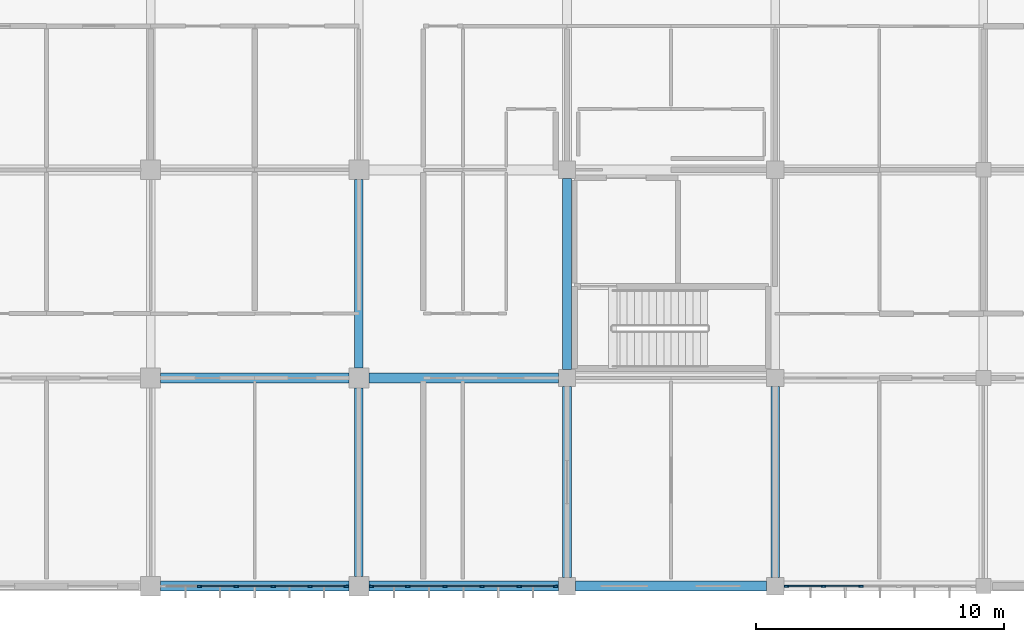
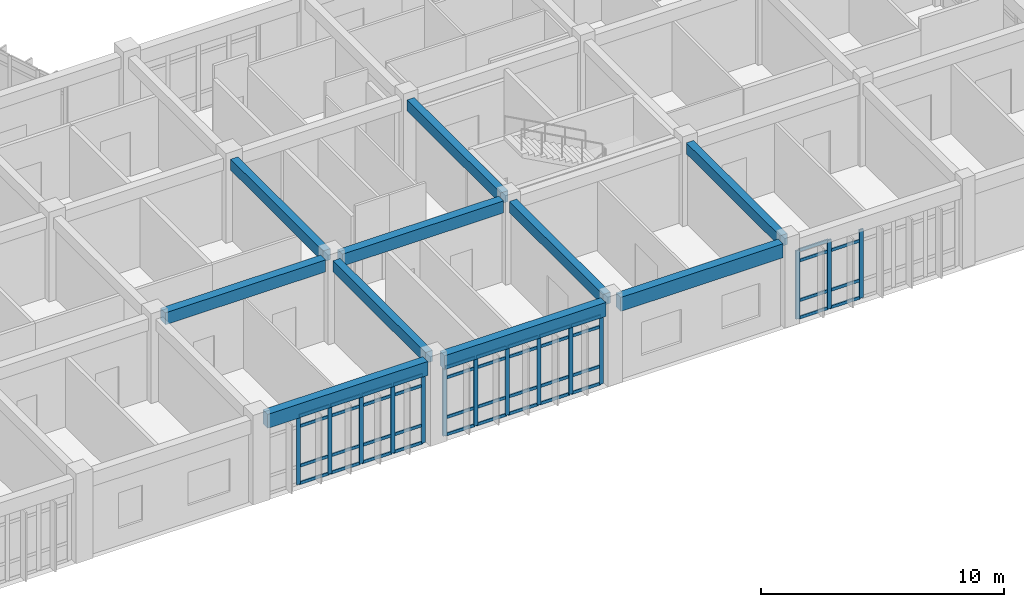
# One storey, part 57 of 144: 57 members, 10 beams, 3 elements without a shape of their own.
"""IFC4 building model written with IfcOpenShell, lengths in metres."""

from ifc_helpers import new_model, si_unit, direction, frame, origin, origin_2d, place, context, subcontext, project, spatial, rectangle, extrude, material, layer, layer_set, material_profile, profile_set, type_object, element, aggregate, save


model = new_model("IFC4")

# Units and contexts
model_context = context("Model", 3, precision=1e-05, world=origin(), true_north=direction((0.0, 1.0)))
body_context = subcontext(model_context, "Body", "Model", "MODEL_VIEW")
ifc_project = project(units=[si_unit("LENGTHUNIT", "METRE"), si_unit("AREAUNIT", "SQUARE_METRE"), si_unit("VOLUMEUNIT", "CUBIC_METRE"), si_unit("PLANEANGLEUNIT", "RADIAN"), si_unit("MASSUNIT", "GRAM", prefix="KILO")], contexts=[model_context])

# Site, building, storey
site_placement = place(None, origin())
site = spatial("IfcSite", under=ifc_project, at=site_placement, CompositionType="ELEMENT")
building_placement = place(site_placement, origin())
building = spatial("IfcBuilding", under=site, at=building_placement, Name="Bramfleet General Hospital", CompositionType="ELEMENT")
storey_placement = place(building_placement, frame((0.0, 0.0, 4.800048828125)))
storey = spatial("IfcBuildingStorey", under=building, at=storey_placement, Name="L01", CompositionType="ELEMENT", Elevation=4.800048828125)

# Beams
ifc_material_1 = material(Name="Concrete C35/45", Category="concrete")
ifc_material_profile_1 = material_profile(ifc_material_1, rectangle(XDim=0.35009765625, YDim=0.550048828125, at=origin_2d()), Name="RC BM 550x350")
ifc_profile_set_1 = profile_set([ifc_material_profile_1], Name="Concrete C35/45")
beam_type_1 = type_object("IfcBeamType", Name="BM-RC550", PredefinedType="BEAM", material=ifc_profile_set_1)
beam_1_placement = place(storey_placement, frame((134.39990234375, 0.39990234375, 3.875), z_axis=(0.0, 1.0, 0.0), x_axis=(-1.0, 0.0, 0.0)))
element("IfcBeam", 1, at=beam_1_placement, inside=storey, type_object=beam_type_1, Name="L01 Grid Beam Y 16-00", PredefinedType="BEAM", context=body_context, shape_type="SweptSolid", body=[
    extrude(rectangle(XDim=0.35009765625, YDim=0.550048828125, at=origin_2d()), origin(), (0.0, 0.0, 1.0), 7.60009765625),
])
beam_2_placement = place(storey_placement, frame((134.39990234375, 8.800048828125, 3.875), z_axis=(0.0, 1.0, 0.0), x_axis=(-1.0, 0.0, 0.0)))
element("IfcBeam", 2, at=beam_2_placement, inside=storey, type_object=beam_type_1, Name="L01 Grid Beam Y 16-01", PredefinedType="BEAM", context=body_context, shape_type="SweptSolid", body=[
    extrude(rectangle(XDim=0.35009765625, YDim=0.550048828125, at=origin_2d()), origin(), (0.0, 0.0, 1.0), 7.599853515625),
])
for number, where, z_axis, x_axis, name in (
    (3, (142.800048828125, 0.35009765625, 3.875), (0.0, 1.0, 0.0), (-1.0, 0.0, 0.0), "L01 Grid Beam Y 17-00"),
    (4, (142.800048828125, 8.75, 3.875), (0.0, 1.0, 0.0), (-1.0, 0.0, 0.0), "L01 Grid Beam Y 17-01"),
    (5, (151.199951171875, 0.35009765625, 3.875), (0.0, 1.0, 0.0), (-1.0, 0.0, 0.0), "L01 Grid Beam Y 18-00"),
):
    element("IfcBeam", number, at=place(storey_placement, frame(where, z_axis=z_axis, x_axis=x_axis)), inside=storey, type_object=beam_type_1, Name=name, PredefinedType="BEAM", context=body_context, shape_type="SweptSolid", body=[
        extrude(rectangle(XDim=0.35009765625, YDim=0.550048828125, at=origin_2d()), origin(), (0.0, 0.0, 1.0), 7.699951171875),
    ])
ifc_material_profile_2 = material_profile(ifc_material_1, rectangle(XDim=0.39990234375, YDim=0.60009765625, at=origin_2d()), Name="RC BM 600x400")
ifc_profile_set_2 = profile_set([ifc_material_profile_2], Name="Concrete C35/45")
beam_type_2 = type_object("IfcBeamType", Name="BM-RC600", PredefinedType="BEAM", material=ifc_profile_set_2)
beam_3_placement = place(storey_placement, frame((126.39990234375, 8.39990234375, 3.849853515625), z_axis=(1.0, 0.0, 0.0), x_axis=(0.0, 1.0, 0.0)))
element("IfcBeam", 6, at=beam_3_placement, inside=storey, type_object=beam_type_2, Name="L01 Grid Beam X 15-01", PredefinedType="BEAM", context=body_context, shape_type="SweptSolid", body=[
    extrude(rectangle(XDim=0.39990234375, YDim=0.60009765625, at=origin_2d()), origin(), (0.0, 0.0, 1.0), 7.60009765625),
])
beam_4_placement = place(storey_placement, frame((134.800048828125, 8.39990234375, 3.849853515625), z_axis=(1.0, 0.0, 0.0), x_axis=(0.0, 1.0, 0.0)))
element("IfcBeam", 7, at=beam_4_placement, inside=storey, type_object=beam_type_2, Name="L01 Grid Beam X 16-01", PredefinedType="BEAM", context=body_context, shape_type="SweptSolid", body=[
    extrude(rectangle(XDim=0.39990234375, YDim=0.60009765625, at=origin_2d()), origin(), (0.0, 0.0, 1.0), 7.64990234375),
])
ifc_material_profile_3 = material_profile(ifc_material_1, rectangle(XDim=0.39990234375, YDim=0.699951171875, at=origin_2d()), Name="RC SP 700x400")
ifc_profile_set_3 = profile_set([ifc_material_profile_3], Name="Concrete C35/45")
beam_type_3 = type_object("IfcBeamType", Name="BM-SP700", PredefinedType="SPANDREL", material=ifc_profile_set_3)
beam_5_placement = place(storey_placement, frame((126.39990234375, 0.0, 3.800048828125), z_axis=(1.0, 0.0, 0.0), x_axis=(0.0, 1.0, 0.0)))
element("IfcBeam", 8, at=beam_5_placement, inside=storey, type_object=beam_type_3, Name="L01 Grid Beam X 15-00", PredefinedType="SPANDREL", context=body_context, shape_type="SweptSolid", body=[
    extrude(rectangle(XDim=0.39990234375, YDim=0.699951171875, at=origin_2d()), origin(), (0.0, 0.0, 1.0), 7.60009765625),
])
beam_6_placement = place(storey_placement, frame((134.800048828125, 0.0, 3.800048828125), z_axis=(1.0, 0.0, 0.0), x_axis=(0.0, 1.0, 0.0)))
element("IfcBeam", 9, at=beam_6_placement, inside=storey, type_object=beam_type_3, Name="L01 Grid Beam X 16-00", PredefinedType="SPANDREL", context=body_context, shape_type="SweptSolid", body=[
    extrude(rectangle(XDim=0.39990234375, YDim=0.699951171875, at=origin_2d()), origin(), (0.0, 0.0, 1.0), 7.64990234375),
])
beam_7_placement = place(storey_placement, frame((143.14990234375, 0.0, 3.800048828125), z_axis=(1.0, 0.0, 0.0), x_axis=(0.0, 1.0, 0.0)))
element("IfcBeam", 10, at=beam_7_placement, inside=storey, type_object=beam_type_3, Name="L01 Grid Beam X 17-00", PredefinedType="SPANDREL", context=body_context, shape_type="SweptSolid", body=[
    extrude(rectangle(XDim=0.39990234375, YDim=0.699951171875, at=origin_2d()), origin(), (0.0, 0.0, 1.0), 7.7001953125),
])

# Curtain wall, members
ifc_material_2 = material(Name="Anodised aluminium and low-E triple glazing", Category="aluminium")
ifc_layer_1 = layer(ifc_material_2, 0.179931640625, Name="CWT-CW-18")
ifc_layer_set_1 = layer_set([ifc_layer_1], Name="Anodised aluminium and low-E triple glazing")
curtain_wall_type_1 = type_object("IfcCurtainWallType", Name="CWT-CW-18", PredefinedType="USERDEFINED", material=ifc_layer_set_1)
curtain_wall_1_placement = place(storey_placement, origin())
curtain_wall_1 = element("IfcCurtainWall", 11, at=curtain_wall_1_placement, inside=storey, type_object=curtain_wall_type_1, Name="L01 Curtain Wall 72", ObjectType="Stick curtain wall", PredefinedType="USERDEFINED")
ifc_material_3 = material(Name="Structural timber GL28h", Category="wood")
ifc_material_profile_4 = material_profile(ifc_material_3, rectangle(XDim=0.070068359375, YDim=0.18994140625, at=origin_2d()), Name="LARCH 190x70")
ifc_profile_set_4 = profile_set([ifc_material_profile_4], Name="Structural timber GL28h")
member_type_1 = type_object("IfcMemberType", Name="CWM-LARCH450", PredefinedType="MULLION", material=ifc_profile_set_4)
member_1_placement = place(storey_placement, frame((154.6650390625, 0.0, 0.0), z_axis=(0.0, 0.0, 1.0), x_axis=(0.0, -1.0, 0.0)))
member_1 = element("IfcMember", 12, at=member_1_placement, type_object=member_type_1, Name="CW-18 mullion 4", PredefinedType="MULLION", context=body_context, shape_type="SweptSolid", body=[
    extrude(rectangle(XDim=0.070068359375, YDim=0.18994140625, at=origin_2d()), origin(), (0.0, 0.0, 1.0), 3.43994140625),
])
member_2_placement = place(storey_placement, frame((153.14501953125, 0.0, 0.0), z_axis=(0.0, 0.0, 1.0), x_axis=(0.0, -1.0, 0.0)))
member_2 = element("IfcMember", 13, at=member_2_placement, type_object=member_type_1, Name="CW-18 mullion 5", PredefinedType="MULLION", context=body_context, shape_type="SweptSolid", body=[
    extrude(rectangle(XDim=0.070068359375, YDim=0.18994140625, at=origin_2d()), origin(), (0.0, 0.0, 1.0), 3.43994140625),
])
member_3_placement = place(storey_placement, frame((151.659912109375, 0.0, 0.0), z_axis=(0.0, 0.0, 1.0), x_axis=(0.0, -1.0, 0.0)))
member_3 = element("IfcMember", 14, at=member_3_placement, type_object=member_type_1, Name="CW-18 mullion 6", PredefinedType="MULLION", context=body_context, shape_type="SweptSolid", body=[
    extrude(rectangle(XDim=0.070068359375, YDim=0.18994140625, at=origin_2d()), origin(), (0.0, 0.0, 1.0), 3.43994140625),
])

ifc_layer_2 = layer(ifc_material_2, 0.179931640625, Name="CWT-CW-01")
ifc_layer_set_2 = layer_set([ifc_layer_2], Name="Anodised aluminium and low-E triple glazing")
curtain_wall_type_2 = type_object("IfcCurtainWallType", Name="CWT-CW-01", PredefinedType="USERDEFINED", material=ifc_layer_set_2)
curtain_wall_2_placement = place(storey_placement, origin())
curtain_wall_2 = element("IfcCurtainWall", 15, at=curtain_wall_2_placement, inside=storey, type_object=curtain_wall_type_2, Name="L01 Curtain Wall 73", ObjectType="Unitised curtain wall", PredefinedType="USERDEFINED")
member_4_placement = place(storey_placement, frame((142.340087890625, 0.0, 0.0), z_axis=(0.0, 0.0, 1.0), x_axis=(0.0, -1.0, 0.0)))
member_4 = element("IfcMember", 16, at=member_4_placement, type_object=member_type_1, Name="CW-01 mullion 1", PredefinedType="MULLION", context=body_context, shape_type="SweptSolid", body=[
    extrude(rectangle(XDim=0.070068359375, YDim=0.18994140625, at=origin_2d()), origin(), (0.0, 0.0, 1.0), 3.43994140625),
])
member_5_placement = place(storey_placement, frame((140.875, 0.0, 0.0), z_axis=(0.0, 0.0, 1.0), x_axis=(0.0, -1.0, 0.0)))
member_5 = element("IfcMember", 17, at=member_5_placement, type_object=member_type_1, Name="CW-01 mullion 2", PredefinedType="MULLION", context=body_context, shape_type="SweptSolid", body=[
    extrude(rectangle(XDim=0.070068359375, YDim=0.18994140625, at=origin_2d()), origin(), (0.0, 0.0, 1.0), 3.43994140625),
])
member_6_placement = place(storey_placement, frame((139.375, 0.0, 0.0), z_axis=(0.0, 0.0, 1.0), x_axis=(0.0, -1.0, 0.0)))
member_6 = element("IfcMember", 18, at=member_6_placement, type_object=member_type_1, Name="CW-01 mullion 3", PredefinedType="MULLION", context=body_context, shape_type="SweptSolid", body=[
    extrude(rectangle(XDim=0.070068359375, YDim=0.18994140625, at=origin_2d()), origin(), (0.0, 0.0, 1.0), 3.43994140625),
])
member_7_placement = place(storey_placement, frame((137.875, 0.0, 0.0), z_axis=(0.0, 0.0, 1.0), x_axis=(0.0, -1.0, 0.0)))
member_7 = element("IfcMember", 19, at=member_7_placement, type_object=member_type_1, Name="CW-01 mullion 4", PredefinedType="MULLION", context=body_context, shape_type="SweptSolid", body=[
    extrude(rectangle(XDim=0.070068359375, YDim=0.18994140625, at=origin_2d()), origin(), (0.0, 0.0, 1.0), 3.43994140625),
])
member_8_placement = place(storey_placement, frame((136.375, 0.0, 0.0), z_axis=(0.0, 0.0, 1.0), x_axis=(0.0, -1.0, 0.0)))
member_8 = element("IfcMember", 20, at=member_8_placement, type_object=member_type_1, Name="CW-01 mullion 5", PredefinedType="MULLION", context=body_context, shape_type="SweptSolid", body=[
    extrude(rectangle(XDim=0.070068359375, YDim=0.18994140625, at=origin_2d()), origin(), (0.0, 0.0, 1.0), 3.43994140625),
])
member_9_placement = place(storey_placement, frame((134.909912109375, 0.0, 0.0), z_axis=(0.0, 0.0, 1.0), x_axis=(0.0, -1.0, 0.0)))
member_9 = element("IfcMember", 21, at=member_9_placement, type_object=member_type_1, Name="CW-01 mullion 6", PredefinedType="MULLION", context=body_context, shape_type="SweptSolid", body=[
    extrude(rectangle(XDim=0.070068359375, YDim=0.18994140625, at=origin_2d()), origin(), (0.0, 0.0, 1.0), 3.43994140625),
])

ifc_layer_3 = layer(ifc_material_2, 0.179931640625, Name="CWT-CW-02")
ifc_layer_set_3 = layer_set([ifc_layer_3], Name="Anodised aluminium and low-E triple glazing")
curtain_wall_type_3 = type_object("IfcCurtainWallType", Name="CWT-CW-02", PredefinedType="USERDEFINED", material=ifc_layer_set_3)
curtain_wall_3_placement = place(storey_placement, origin())
curtain_wall_3 = element("IfcCurtainWall", 22, at=curtain_wall_3_placement, inside=storey, type_object=curtain_wall_type_3, Name="L01 Curtain Wall 74", ObjectType="Unitised curtain wall", PredefinedType="USERDEFINED")
member_10_placement = place(storey_placement, frame((133.889892578125, 0.0, 0.0), z_axis=(0.0, 0.0, 1.0), x_axis=(0.0, -1.0, 0.0)))
member_10 = element("IfcMember", 23, at=member_10_placement, type_object=member_type_1, Name="CW-02 mullion 1", PredefinedType="MULLION", context=body_context, shape_type="SweptSolid", body=[
    extrude(rectangle(XDim=0.070068359375, YDim=0.18994140625, at=origin_2d()), origin(), (0.0, 0.0, 1.0), 3.43994140625),
])
member_11_placement = place(storey_placement, frame((132.43505859375, 0.0, 0.0), z_axis=(0.0, 0.0, 1.0), x_axis=(0.0, -1.0, 0.0)))
member_11 = element("IfcMember", 24, at=member_11_placement, type_object=member_type_1, Name="CW-02 mullion 2", PredefinedType="MULLION", context=body_context, shape_type="SweptSolid", body=[
    extrude(rectangle(XDim=0.070068359375, YDim=0.18994140625, at=origin_2d()), origin(), (0.0, 0.0, 1.0), 3.43994140625),
])
member_12_placement = place(storey_placement, frame((130.945068359375, 0.0, 0.0), z_axis=(0.0, 0.0, 1.0), x_axis=(0.0, -1.0, 0.0)))
member_12 = element("IfcMember", 25, at=member_12_placement, type_object=member_type_1, Name="CW-02 mullion 3", PredefinedType="MULLION", context=body_context, shape_type="SweptSolid", body=[
    extrude(rectangle(XDim=0.070068359375, YDim=0.18994140625, at=origin_2d()), origin(), (0.0, 0.0, 1.0), 3.43994140625),
])
member_13_placement = place(storey_placement, frame((129.455078125, 0.0, 0.0), z_axis=(0.0, 0.0, 1.0), x_axis=(0.0, -1.0, 0.0)))
member_13 = element("IfcMember", 26, at=member_13_placement, type_object=member_type_1, Name="CW-02 mullion 4", PredefinedType="MULLION", context=body_context, shape_type="SweptSolid", body=[
    extrude(rectangle(XDim=0.070068359375, YDim=0.18994140625, at=origin_2d()), origin(), (0.0, 0.0, 1.0), 3.43994140625),
])
member_14_placement = place(storey_placement, frame((127.965087890625, 0.0, 0.0), z_axis=(0.0, 0.0, 1.0), x_axis=(0.0, -1.0, 0.0)))
member_14 = element("IfcMember", 27, at=member_14_placement, type_object=member_type_1, Name="CW-02 mullion 5", PredefinedType="MULLION", context=body_context, shape_type="SweptSolid", body=[
    extrude(rectangle(XDim=0.070068359375, YDim=0.18994140625, at=origin_2d()), origin(), (0.0, 0.0, 1.0), 3.43994140625),
])

# Member
ifc_material_profile_5 = material_profile(ifc_material_3, rectangle(XDim=0.06494140625, YDim=0.14990234375, at=origin_2d()), Name="LARCH 150x65")
ifc_profile_set_5 = profile_set([ifc_material_profile_5], Name="Structural timber GL28h")
member_type_2 = type_object("IfcMemberType", Name="CWT-LARCH220", PredefinedType="USERDEFINED", material=ifc_profile_set_5)
member_15_placement = place(storey_placement, frame((154.6298828125, 0.0, 0.032470703125), z_axis=(-1.0, 0.0, 0.0), x_axis=(0.0, -1.0, 0.0)))
member_15 = element("IfcMember", 28, at=member_15_placement, type_object=member_type_2, Name="CW-18 transom 4.1", ObjectType="TRANSOM", PredefinedType="USERDEFINED", context=body_context, shape_type="SweptSolid", body=[
    extrude(rectangle(XDim=0.06494140625, YDim=0.14990234375, at=origin_2d()), origin(), (0.0, 0.0, 1.0), 1.449951171875),
])

member_16_placement = place(storey_placement, frame((154.6298828125, 0.0, 0.89990234375), z_axis=(-1.0, 0.0, 0.0), x_axis=(0.0, -1.0, 0.0)))
member_16 = element("IfcMember", 29, at=member_16_placement, type_object=member_type_2, Name="CW-18 transom 4.2", ObjectType="TRANSOM", PredefinedType="USERDEFINED", context=body_context, shape_type="SweptSolid", body=[
    extrude(rectangle(XDim=0.06494140625, YDim=0.14990234375, at=origin_2d()), origin(), (0.0, 0.0, 1.0), 1.449951171875),
])

member_17_placement = place(storey_placement, frame((154.6298828125, 0.0, 2.889892578125), z_axis=(-1.0, 0.0, 0.0), x_axis=(0.0, -1.0, 0.0)))
member_17 = element("IfcMember", 30, at=member_17_placement, type_object=member_type_2, Name="CW-18 transom 4.3", ObjectType="TRANSOM", PredefinedType="USERDEFINED", context=body_context, shape_type="SweptSolid", body=[
    extrude(rectangle(XDim=0.06494140625, YDim=0.14990234375, at=origin_2d()), origin(), (0.0, 0.0, 1.0), 1.449951171875),
])

member_18_placement = place(storey_placement, frame((153.110107421875, 0.0, 0.032470703125), z_axis=(-1.0, 0.0, 0.0), x_axis=(0.0, -1.0, 0.0)))
member_18 = element("IfcMember", 31, at=member_18_placement, type_object=member_type_2, Name="CW-18 transom 5.1", ObjectType="TRANSOM", PredefinedType="USERDEFINED", context=body_context, shape_type="SweptSolid", body=[
    extrude(rectangle(XDim=0.06494140625, YDim=0.14990234375, at=origin_2d()), origin(), (0.0, 0.0, 1.0), 1.4150390625),
])

member_19_placement = place(storey_placement, frame((153.110107421875, 0.0, 0.89990234375), z_axis=(-1.0, 0.0, 0.0), x_axis=(0.0, -1.0, 0.0)))
member_19 = element("IfcMember", 32, at=member_19_placement, type_object=member_type_2, Name="CW-18 transom 5.2", ObjectType="TRANSOM", PredefinedType="USERDEFINED", context=body_context, shape_type="SweptSolid", body=[
    extrude(rectangle(XDim=0.06494140625, YDim=0.14990234375, at=origin_2d()), origin(), (0.0, 0.0, 1.0), 1.4150390625),
])

member_20_placement = place(storey_placement, frame((153.110107421875, 0.0, 2.889892578125), z_axis=(-1.0, 0.0, 0.0), x_axis=(0.0, -1.0, 0.0)))
member_20 = element("IfcMember", 33, at=member_20_placement, type_object=member_type_2, Name="CW-18 transom 5.3", ObjectType="TRANSOM", PredefinedType="USERDEFINED", context=body_context, shape_type="SweptSolid", body=[
    extrude(rectangle(XDim=0.06494140625, YDim=0.14990234375, at=origin_2d()), origin(), (0.0, 0.0, 1.0), 1.4150390625),
])

member_21_placement = place(storey_placement, frame((153.110107421875, 0.0, 3.407470703125), z_axis=(-1.0, 0.0, 0.0), x_axis=(0.0, -1.0, 0.0)))
member_21 = element("IfcMember", 34, at=member_21_placement, type_object=member_type_2, Name="CW-18 transom 5.4", ObjectType="TRANSOM", PredefinedType="USERDEFINED", context=body_context, shape_type="SweptSolid", body=[
    extrude(rectangle(XDim=0.06494140625, YDim=0.14990234375, at=origin_2d()), origin(), (0.0, 0.0, 1.0), 1.4150390625),
])

aggregate(curtain_wall_1, [member_1, member_2, member_3, member_15, member_16, member_17, member_18, member_19, member_20, member_21])

member_22_placement = place(storey_placement, frame((142.304931640625, 0.0, 0.032470703125), z_axis=(-1.0, 0.0, 0.0), x_axis=(0.0, -1.0, 0.0)))
member_22 = element("IfcMember", 35, at=member_22_placement, type_object=member_type_2, Name="CW-01 transom 1.1", ObjectType="TRANSOM", PredefinedType="USERDEFINED", context=body_context, shape_type="SweptSolid", body=[
    extrude(rectangle(XDim=0.06494140625, YDim=0.14990234375, at=origin_2d()), origin(), (0.0, 0.0, 1.0), 1.39501953125),
])

member_23_placement = place(storey_placement, frame((142.304931640625, 0.0, 0.89990234375), z_axis=(-1.0, 0.0, 0.0), x_axis=(0.0, -1.0, 0.0)))
member_23 = element("IfcMember", 36, at=member_23_placement, type_object=member_type_2, Name="CW-01 transom 1.2", ObjectType="TRANSOM", PredefinedType="USERDEFINED", context=body_context, shape_type="SweptSolid", body=[
    extrude(rectangle(XDim=0.06494140625, YDim=0.14990234375, at=origin_2d()), origin(), (0.0, 0.0, 1.0), 1.39501953125),
])

member_24_placement = place(storey_placement, frame((142.304931640625, 0.0, 2.889892578125), z_axis=(-1.0, 0.0, 0.0), x_axis=(0.0, -1.0, 0.0)))
member_24 = element("IfcMember", 37, at=member_24_placement, type_object=member_type_2, Name="CW-01 transom 1.3", ObjectType="TRANSOM", PredefinedType="USERDEFINED", context=body_context, shape_type="SweptSolid", body=[
    extrude(rectangle(XDim=0.06494140625, YDim=0.14990234375, at=origin_2d()), origin(), (0.0, 0.0, 1.0), 1.39501953125),
])

member_25_placement = place(storey_placement, frame((142.304931640625, 0.0, 3.407470703125), z_axis=(-1.0, 0.0, 0.0), x_axis=(0.0, -1.0, 0.0)))
member_25 = element("IfcMember", 38, at=member_25_placement, type_object=member_type_2, Name="CW-01 transom 1.4", ObjectType="TRANSOM", PredefinedType="USERDEFINED", context=body_context, shape_type="SweptSolid", body=[
    extrude(rectangle(XDim=0.06494140625, YDim=0.14990234375, at=origin_2d()), origin(), (0.0, 0.0, 1.0), 1.39501953125),
])

member_26_placement = place(storey_placement, frame((140.840087890625, 0.0, 0.032470703125), z_axis=(-1.0, 0.0, 0.0), x_axis=(0.0, -1.0, 0.0)))
member_26 = element("IfcMember", 39, at=member_26_placement, type_object=member_type_2, Name="CW-01 transom 2.1", ObjectType="TRANSOM", PredefinedType="USERDEFINED", context=body_context, shape_type="SweptSolid", body=[
    extrude(rectangle(XDim=0.06494140625, YDim=0.14990234375, at=origin_2d()), origin(), (0.0, 0.0, 1.0), 1.43017578125),
])

member_27_placement = place(storey_placement, frame((140.840087890625, 0.0, 0.89990234375), z_axis=(-1.0, 0.0, 0.0), x_axis=(0.0, -1.0, 0.0)))
member_27 = element("IfcMember", 40, at=member_27_placement, type_object=member_type_2, Name="CW-01 transom 2.2", ObjectType="TRANSOM", PredefinedType="USERDEFINED", context=body_context, shape_type="SweptSolid", body=[
    extrude(rectangle(XDim=0.06494140625, YDim=0.14990234375, at=origin_2d()), origin(), (0.0, 0.0, 1.0), 1.43017578125),
])

member_28_placement = place(storey_placement, frame((140.840087890625, 0.0, 2.889892578125), z_axis=(-1.0, 0.0, 0.0), x_axis=(0.0, -1.0, 0.0)))
member_28 = element("IfcMember", 41, at=member_28_placement, type_object=member_type_2, Name="CW-01 transom 2.3", ObjectType="TRANSOM", PredefinedType="USERDEFINED", context=body_context, shape_type="SweptSolid", body=[
    extrude(rectangle(XDim=0.06494140625, YDim=0.14990234375, at=origin_2d()), origin(), (0.0, 0.0, 1.0), 1.43017578125),
])

member_29_placement = place(storey_placement, frame((140.840087890625, 0.0, 3.407470703125), z_axis=(-1.0, 0.0, 0.0), x_axis=(0.0, -1.0, 0.0)))
member_29 = element("IfcMember", 42, at=member_29_placement, type_object=member_type_2, Name="CW-01 transom 2.4", ObjectType="TRANSOM", PredefinedType="USERDEFINED", context=body_context, shape_type="SweptSolid", body=[
    extrude(rectangle(XDim=0.06494140625, YDim=0.14990234375, at=origin_2d()), origin(), (0.0, 0.0, 1.0), 1.43017578125),
])

member_30_placement = place(storey_placement, frame((139.340087890625, 0.0, 0.032470703125), z_axis=(-1.0, 0.0, 0.0), x_axis=(0.0, -1.0, 0.0)))
member_30 = element("IfcMember", 43, at=member_30_placement, type_object=member_type_2, Name="CW-01 transom 3.1", ObjectType="TRANSOM", PredefinedType="USERDEFINED", context=body_context, shape_type="SweptSolid", body=[
    extrude(rectangle(XDim=0.06494140625, YDim=0.14990234375, at=origin_2d()), origin(), (0.0, 0.0, 1.0), 1.43017578125),
])

member_31_placement = place(storey_placement, frame((139.340087890625, 0.0, 0.89990234375), z_axis=(-1.0, 0.0, 0.0), x_axis=(0.0, -1.0, 0.0)))
member_31 = element("IfcMember", 44, at=member_31_placement, type_object=member_type_2, Name="CW-01 transom 3.2", ObjectType="TRANSOM", PredefinedType="USERDEFINED", context=body_context, shape_type="SweptSolid", body=[
    extrude(rectangle(XDim=0.06494140625, YDim=0.14990234375, at=origin_2d()), origin(), (0.0, 0.0, 1.0), 1.43017578125),
])

member_32_placement = place(storey_placement, frame((139.340087890625, 0.0, 2.889892578125), z_axis=(-1.0, 0.0, 0.0), x_axis=(0.0, -1.0, 0.0)))
member_32 = element("IfcMember", 45, at=member_32_placement, type_object=member_type_2, Name="CW-01 transom 3.3", ObjectType="TRANSOM", PredefinedType="USERDEFINED", context=body_context, shape_type="SweptSolid", body=[
    extrude(rectangle(XDim=0.06494140625, YDim=0.14990234375, at=origin_2d()), origin(), (0.0, 0.0, 1.0), 1.43017578125),
])

member_33_placement = place(storey_placement, frame((139.340087890625, 0.0, 3.407470703125), z_axis=(-1.0, 0.0, 0.0), x_axis=(0.0, -1.0, 0.0)))
member_33 = element("IfcMember", 46, at=member_33_placement, type_object=member_type_2, Name="CW-01 transom 3.4", ObjectType="TRANSOM", PredefinedType="USERDEFINED", context=body_context, shape_type="SweptSolid", body=[
    extrude(rectangle(XDim=0.06494140625, YDim=0.14990234375, at=origin_2d()), origin(), (0.0, 0.0, 1.0), 1.43017578125),
])

member_34_placement = place(storey_placement, frame((137.840087890625, 0.0, 0.032470703125), z_axis=(-1.0, 0.0, 0.0), x_axis=(0.0, -1.0, 0.0)))
member_34 = element("IfcMember", 47, at=member_34_placement, type_object=member_type_2, Name="CW-01 transom 4.1", ObjectType="TRANSOM", PredefinedType="USERDEFINED", context=body_context, shape_type="SweptSolid", body=[
    extrude(rectangle(XDim=0.06494140625, YDim=0.14990234375, at=origin_2d()), origin(), (0.0, 0.0, 1.0), 1.43017578125),
])

member_35_placement = place(storey_placement, frame((137.840087890625, 0.0, 0.89990234375), z_axis=(-1.0, 0.0, 0.0), x_axis=(0.0, -1.0, 0.0)))
member_35 = element("IfcMember", 48, at=member_35_placement, type_object=member_type_2, Name="CW-01 transom 4.2", ObjectType="TRANSOM", PredefinedType="USERDEFINED", context=body_context, shape_type="SweptSolid", body=[
    extrude(rectangle(XDim=0.06494140625, YDim=0.14990234375, at=origin_2d()), origin(), (0.0, 0.0, 1.0), 1.43017578125),
])

member_36_placement = place(storey_placement, frame((137.840087890625, 0.0, 2.889892578125), z_axis=(-1.0, 0.0, 0.0), x_axis=(0.0, -1.0, 0.0)))
member_36 = element("IfcMember", 49, at=member_36_placement, type_object=member_type_2, Name="CW-01 transom 4.3", ObjectType="TRANSOM", PredefinedType="USERDEFINED", context=body_context, shape_type="SweptSolid", body=[
    extrude(rectangle(XDim=0.06494140625, YDim=0.14990234375, at=origin_2d()), origin(), (0.0, 0.0, 1.0), 1.43017578125),
])

member_37_placement = place(storey_placement, frame((137.840087890625, 0.0, 3.407470703125), z_axis=(-1.0, 0.0, 0.0), x_axis=(0.0, -1.0, 0.0)))
member_37 = element("IfcMember", 50, at=member_37_placement, type_object=member_type_2, Name="CW-01 transom 4.4", ObjectType="TRANSOM", PredefinedType="USERDEFINED", context=body_context, shape_type="SweptSolid", body=[
    extrude(rectangle(XDim=0.06494140625, YDim=0.14990234375, at=origin_2d()), origin(), (0.0, 0.0, 1.0), 1.43017578125),
])

member_38_placement = place(storey_placement, frame((136.340087890625, 0.0, 0.032470703125), z_axis=(-1.0, 0.0, 0.0), x_axis=(0.0, -1.0, 0.0)))
member_38 = element("IfcMember", 51, at=member_38_placement, type_object=member_type_2, Name="CW-01 transom 5.1", ObjectType="TRANSOM", PredefinedType="USERDEFINED", context=body_context, shape_type="SweptSolid", body=[
    extrude(rectangle(XDim=0.06494140625, YDim=0.14990234375, at=origin_2d()), origin(), (0.0, 0.0, 1.0), 1.39501953125),
])

member_39_placement = place(storey_placement, frame((136.340087890625, 0.0, 0.89990234375), z_axis=(-1.0, 0.0, 0.0), x_axis=(0.0, -1.0, 0.0)))
member_39 = element("IfcMember", 52, at=member_39_placement, type_object=member_type_2, Name="CW-01 transom 5.2", ObjectType="TRANSOM", PredefinedType="USERDEFINED", context=body_context, shape_type="SweptSolid", body=[
    extrude(rectangle(XDim=0.06494140625, YDim=0.14990234375, at=origin_2d()), origin(), (0.0, 0.0, 1.0), 1.39501953125),
])

member_40_placement = place(storey_placement, frame((136.340087890625, 0.0, 2.889892578125), z_axis=(-1.0, 0.0, 0.0), x_axis=(0.0, -1.0, 0.0)))
member_40 = element("IfcMember", 53, at=member_40_placement, type_object=member_type_2, Name="CW-01 transom 5.3", ObjectType="TRANSOM", PredefinedType="USERDEFINED", context=body_context, shape_type="SweptSolid", body=[
    extrude(rectangle(XDim=0.06494140625, YDim=0.14990234375, at=origin_2d()), origin(), (0.0, 0.0, 1.0), 1.39501953125),
])

member_41_placement = place(storey_placement, frame((136.340087890625, 0.0, 3.407470703125), z_axis=(-1.0, 0.0, 0.0), x_axis=(0.0, -1.0, 0.0)))
member_41 = element("IfcMember", 54, at=member_41_placement, type_object=member_type_2, Name="CW-01 transom 5.4", ObjectType="TRANSOM", PredefinedType="USERDEFINED", context=body_context, shape_type="SweptSolid", body=[
    extrude(rectangle(XDim=0.06494140625, YDim=0.14990234375, at=origin_2d()), origin(), (0.0, 0.0, 1.0), 1.39501953125),
])

aggregate(curtain_wall_2, [member_4, member_5, member_6, member_7, member_8, member_9, member_22, member_23, member_24, member_25, member_26, member_27, member_28, member_29, member_30, member_31, member_32, member_33, member_34, member_35, member_36, member_37, member_38, member_39, member_40, member_41])

member_42_placement = place(storey_placement, frame((133.85498046875, 0.0, 0.032470703125), z_axis=(-1.0, 0.0, 0.0), x_axis=(0.0, -1.0, 0.0)))
member_42 = element("IfcMember", 55, at=member_42_placement, type_object=member_type_2, Name="CW-02 transom 1.1", ObjectType="TRANSOM", PredefinedType="USERDEFINED", context=body_context, shape_type="SweptSolid", body=[
    extrude(rectangle(XDim=0.06494140625, YDim=0.14990234375, at=origin_2d()), origin(), (0.0, 0.0, 1.0), 1.385009765625),
])

member_43_placement = place(storey_placement, frame((133.85498046875, 0.0, 0.89990234375), z_axis=(-1.0, 0.0, 0.0), x_axis=(0.0, -1.0, 0.0)))
member_43 = element("IfcMember", 56, at=member_43_placement, type_object=member_type_2, Name="CW-02 transom 1.2", ObjectType="TRANSOM", PredefinedType="USERDEFINED", context=body_context, shape_type="SweptSolid", body=[
    extrude(rectangle(XDim=0.06494140625, YDim=0.14990234375, at=origin_2d()), origin(), (0.0, 0.0, 1.0), 1.385009765625),
])

member_44_placement = place(storey_placement, frame((133.85498046875, 0.0, 2.889892578125), z_axis=(-1.0, 0.0, 0.0), x_axis=(0.0, -1.0, 0.0)))
member_44 = element("IfcMember", 57, at=member_44_placement, type_object=member_type_2, Name="CW-02 transom 1.3", ObjectType="TRANSOM", PredefinedType="USERDEFINED", context=body_context, shape_type="SweptSolid", body=[
    extrude(rectangle(XDim=0.06494140625, YDim=0.14990234375, at=origin_2d()), origin(), (0.0, 0.0, 1.0), 1.385009765625),
])

member_45_placement = place(storey_placement, frame((133.85498046875, 0.0, 3.407470703125), z_axis=(-1.0, 0.0, 0.0), x_axis=(0.0, -1.0, 0.0)))
member_45 = element("IfcMember", 58, at=member_45_placement, type_object=member_type_2, Name="CW-02 transom 1.4", ObjectType="TRANSOM", PredefinedType="USERDEFINED", context=body_context, shape_type="SweptSolid", body=[
    extrude(rectangle(XDim=0.06494140625, YDim=0.14990234375, at=origin_2d()), origin(), (0.0, 0.0, 1.0), 1.385009765625),
])

member_46_placement = place(storey_placement, frame((132.39990234375, 0.0, 0.032470703125), z_axis=(-1.0, 0.0, 0.0), x_axis=(0.0, -1.0, 0.0)))
member_46 = element("IfcMember", 59, at=member_46_placement, type_object=member_type_2, Name="CW-02 transom 2.1", ObjectType="TRANSOM", PredefinedType="USERDEFINED", context=body_context, shape_type="SweptSolid", body=[
    extrude(rectangle(XDim=0.06494140625, YDim=0.14990234375, at=origin_2d()), origin(), (0.0, 0.0, 1.0), 1.419921875),
])

member_47_placement = place(storey_placement, frame((132.39990234375, 0.0, 0.89990234375), z_axis=(-1.0, 0.0, 0.0), x_axis=(0.0, -1.0, 0.0)))
member_47 = element("IfcMember", 60, at=member_47_placement, type_object=member_type_2, Name="CW-02 transom 2.2", ObjectType="TRANSOM", PredefinedType="USERDEFINED", context=body_context, shape_type="SweptSolid", body=[
    extrude(rectangle(XDim=0.06494140625, YDim=0.14990234375, at=origin_2d()), origin(), (0.0, 0.0, 1.0), 1.419921875),
])

member_48_placement = place(storey_placement, frame((132.39990234375, 0.0, 2.889892578125), z_axis=(-1.0, 0.0, 0.0), x_axis=(0.0, -1.0, 0.0)))
member_48 = element("IfcMember", 61, at=member_48_placement, type_object=member_type_2, Name="CW-02 transom 2.3", ObjectType="TRANSOM", PredefinedType="USERDEFINED", context=body_context, shape_type="SweptSolid", body=[
    extrude(rectangle(XDim=0.06494140625, YDim=0.14990234375, at=origin_2d()), origin(), (0.0, 0.0, 1.0), 1.419921875),
])

member_49_placement = place(storey_placement, frame((132.39990234375, 0.0, 3.407470703125), z_axis=(-1.0, 0.0, 0.0), x_axis=(0.0, -1.0, 0.0)))
member_49 = element("IfcMember", 62, at=member_49_placement, type_object=member_type_2, Name="CW-02 transom 2.4", ObjectType="TRANSOM", PredefinedType="USERDEFINED", context=body_context, shape_type="SweptSolid", body=[
    extrude(rectangle(XDim=0.06494140625, YDim=0.14990234375, at=origin_2d()), origin(), (0.0, 0.0, 1.0), 1.419921875),
])

member_50_placement = place(storey_placement, frame((130.909912109375, 0.0, 0.032470703125), z_axis=(-1.0, 0.0, 0.0), x_axis=(0.0, -1.0, 0.0)))
member_50 = element("IfcMember", 63, at=member_50_placement, type_object=member_type_2, Name="CW-02 transom 3.1", ObjectType="TRANSOM", PredefinedType="USERDEFINED", context=body_context, shape_type="SweptSolid", body=[
    extrude(rectangle(XDim=0.06494140625, YDim=0.14990234375, at=origin_2d()), origin(), (0.0, 0.0, 1.0), 1.419921875),
])

member_51_placement = place(storey_placement, frame((130.909912109375, 0.0, 0.89990234375), z_axis=(-1.0, 0.0, 0.0), x_axis=(0.0, -1.0, 0.0)))
member_51 = element("IfcMember", 64, at=member_51_placement, type_object=member_type_2, Name="CW-02 transom 3.2", ObjectType="TRANSOM", PredefinedType="USERDEFINED", context=body_context, shape_type="SweptSolid", body=[
    extrude(rectangle(XDim=0.06494140625, YDim=0.14990234375, at=origin_2d()), origin(), (0.0, 0.0, 1.0), 1.419921875),
])

member_52_placement = place(storey_placement, frame((130.909912109375, 0.0, 2.889892578125), z_axis=(-1.0, 0.0, 0.0), x_axis=(0.0, -1.0, 0.0)))
member_52 = element("IfcMember", 65, at=member_52_placement, type_object=member_type_2, Name="CW-02 transom 3.3", ObjectType="TRANSOM", PredefinedType="USERDEFINED", context=body_context, shape_type="SweptSolid", body=[
    extrude(rectangle(XDim=0.06494140625, YDim=0.14990234375, at=origin_2d()), origin(), (0.0, 0.0, 1.0), 1.419921875),
])

member_53_placement = place(storey_placement, frame((130.909912109375, 0.0, 3.407470703125), z_axis=(-1.0, 0.0, 0.0), x_axis=(0.0, -1.0, 0.0)))
member_53 = element("IfcMember", 66, at=member_53_placement, type_object=member_type_2, Name="CW-02 transom 3.4", ObjectType="TRANSOM", PredefinedType="USERDEFINED", context=body_context, shape_type="SweptSolid", body=[
    extrude(rectangle(XDim=0.06494140625, YDim=0.14990234375, at=origin_2d()), origin(), (0.0, 0.0, 1.0), 1.419921875),
])

member_54_placement = place(storey_placement, frame((129.419921875, 0.0, 0.032470703125), z_axis=(-1.0, 0.0, 0.0), x_axis=(0.0, -1.0, 0.0)))
member_54 = element("IfcMember", 67, at=member_54_placement, type_object=member_type_2, Name="CW-02 transom 4.1", ObjectType="TRANSOM", PredefinedType="USERDEFINED", context=body_context, shape_type="SweptSolid", body=[
    extrude(rectangle(XDim=0.06494140625, YDim=0.14990234375, at=origin_2d()), origin(), (0.0, 0.0, 1.0), 1.419921875),
])

member_55_placement = place(storey_placement, frame((129.419921875, 0.0, 0.89990234375), z_axis=(-1.0, 0.0, 0.0), x_axis=(0.0, -1.0, 0.0)))
member_55 = element("IfcMember", 68, at=member_55_placement, type_object=member_type_2, Name="CW-02 transom 4.2", ObjectType="TRANSOM", PredefinedType="USERDEFINED", context=body_context, shape_type="SweptSolid", body=[
    extrude(rectangle(XDim=0.06494140625, YDim=0.14990234375, at=origin_2d()), origin(), (0.0, 0.0, 1.0), 1.419921875),
])

member_56_placement = place(storey_placement, frame((129.419921875, 0.0, 2.889892578125), z_axis=(-1.0, 0.0, 0.0), x_axis=(0.0, -1.0, 0.0)))
member_56 = element("IfcMember", 69, at=member_56_placement, type_object=member_type_2, Name="CW-02 transom 4.3", ObjectType="TRANSOM", PredefinedType="USERDEFINED", context=body_context, shape_type="SweptSolid", body=[
    extrude(rectangle(XDim=0.06494140625, YDim=0.14990234375, at=origin_2d()), origin(), (0.0, 0.0, 1.0), 1.419921875),
])

member_57_placement = place(storey_placement, frame((129.419921875, 0.0, 3.407470703125), z_axis=(-1.0, 0.0, 0.0), x_axis=(0.0, -1.0, 0.0)))
member_57 = element("IfcMember", 70, at=member_57_placement, type_object=member_type_2, Name="CW-02 transom 4.4", ObjectType="TRANSOM", PredefinedType="USERDEFINED", context=body_context, shape_type="SweptSolid", body=[
    extrude(rectangle(XDim=0.06494140625, YDim=0.14990234375, at=origin_2d()), origin(), (0.0, 0.0, 1.0), 1.419921875),
])

aggregate(curtain_wall_3, [member_10, member_11, member_12, member_13, member_14, member_42, member_43, member_44, member_45, member_46, member_47, member_48, member_49, member_50, member_51, member_52, member_53, member_54, member_55, member_56, member_57])

save(model, "model.ifc")
